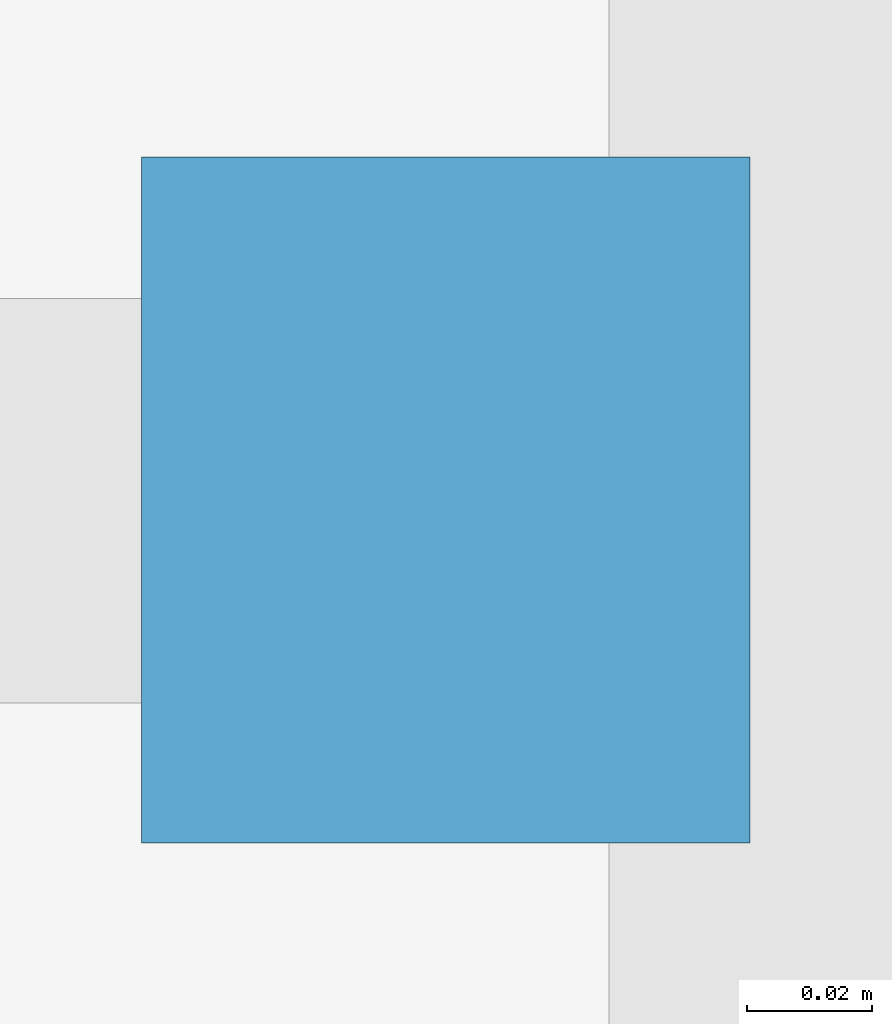
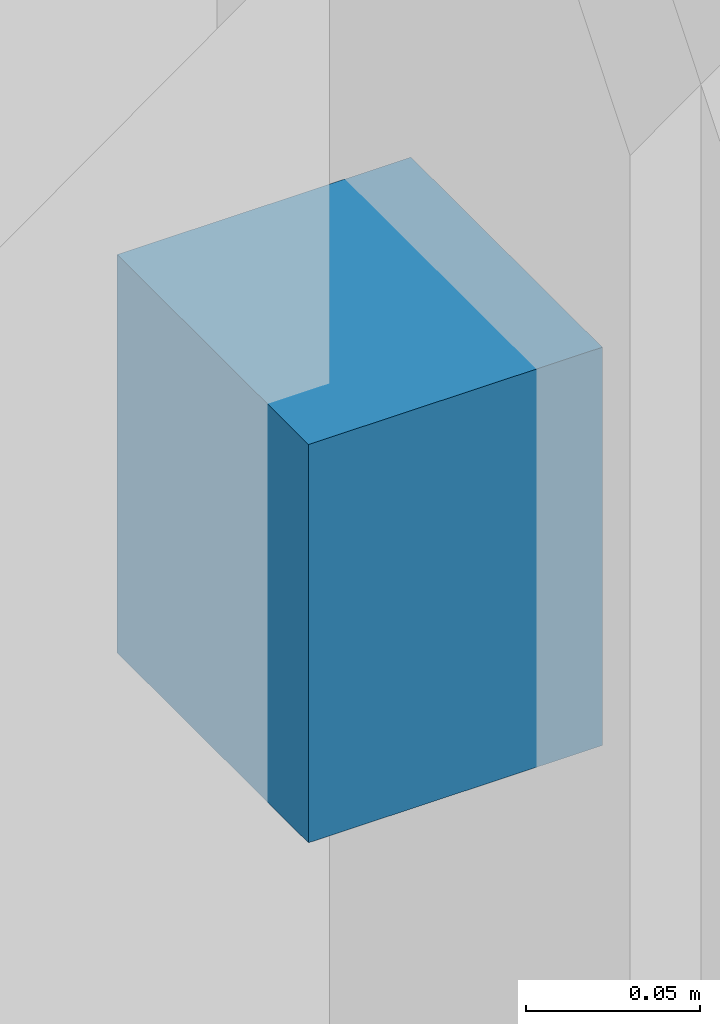
# One storey, part 13 of 21: 1 discrete accessory.
"""IFC4 building model written with IfcOpenShell, lengths in metres."""

from ifc_helpers import new_model, si_unit, direction, frame, origin, place, context, subcontext, project, spatial, polyline, outline, extrude, material, type_object, element, save


model = new_model("IFC4")

# Units and contexts
model_context = context("Model", 3, precision=1e-05, world=origin(), true_north=direction((0.0, 1.0)))
body_context = subcontext(model_context, "Body", "Model", "MODEL_VIEW")
ifc_project = project(units=[si_unit("LENGTHUNIT", "METRE"), si_unit("AREAUNIT", "SQUARE_METRE"), si_unit("VOLUMEUNIT", "CUBIC_METRE"), si_unit("PLANEANGLEUNIT", "RADIAN"), si_unit("MASSUNIT", "GRAM", prefix="KILO")], contexts=[model_context])

# Site, building, storey
site_placement = place(None, origin())
site = spatial("IfcSite", under=ifc_project, at=site_placement, CompositionType="ELEMENT")
building_placement = place(site_placement, origin())
building = spatial("IfcBuilding", under=site, at=building_placement, Name="Qalmaran Belvedere Hotel", CompositionType="ELEMENT")
storey_placement = place(building_placement, frame((0.0, 0.0, 23.800048828125)))
storey = spatial("IfcBuildingStorey", under=building, at=storey_placement, Name="L05", CompositionType="ELEMENT", Elevation=23.800048828125)

# Discrete accessory
ifc_material = material(Name="Stainless Steel 1.4401", Category="steel")
discrete_accessory_type = type_object("IfcDiscreteAccessoryType", Name="BRK-FIN-SS316", PredefinedType="BRACKET", material=ifc_material)
discrete_accessory_placement = place(storey_placement, frame((0.0, 0.0, 2.050048828125)))
element("IfcDiscreteAccessory", 1, at=discrete_accessory_placement, inside=storey, type_object=discrete_accessory_type, Name="L05 Fin Bracket 1", PredefinedType="BRACKET", context=body_context, shape_type="SweptSolid", body=[
    extrude(outline(polyline([(8.705078125, 39.68310546875), (8.607421875, 39.68310546875), (8.607421875, 39.572998046875), (8.705078125, 39.572998046875), (8.705078125, 39.68310546875)])), origin(), (0.0, 0.0, 1.0), 0.139892578125),
])

save(model, "model.ifc")
